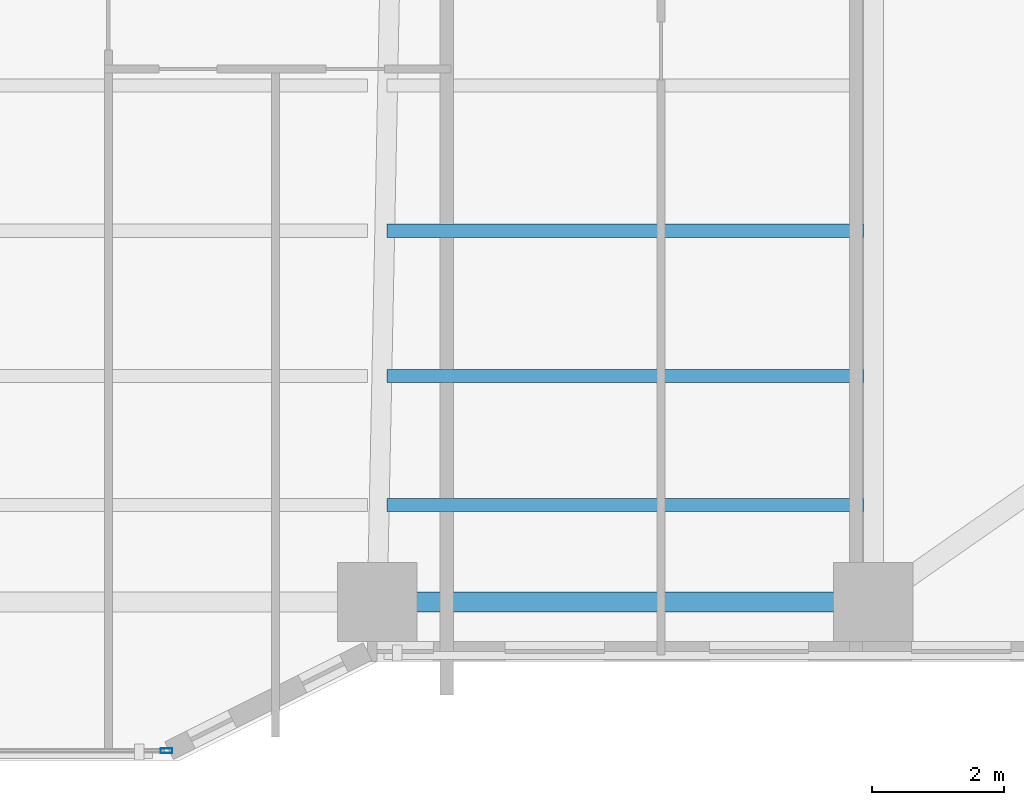
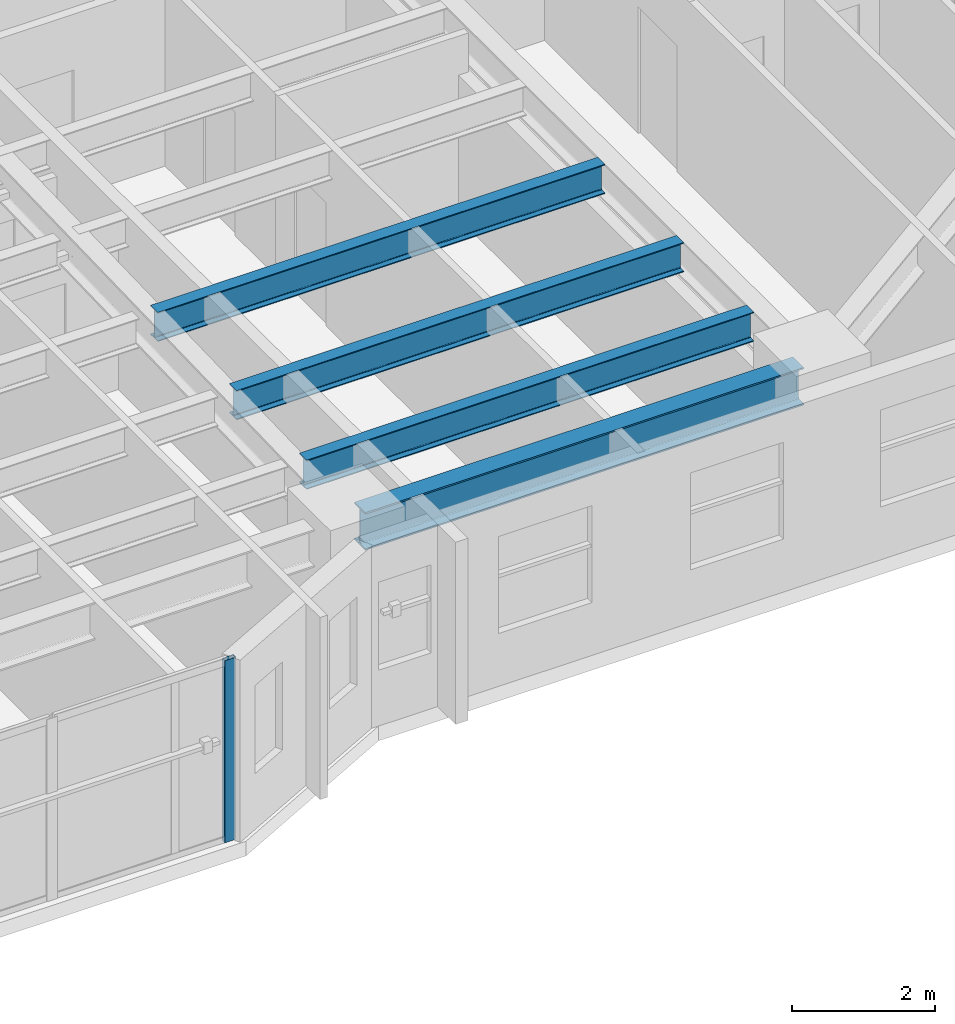
# One storey, part 4 of 21: 4 beams, 1 member, 1 element without a shape of its own.
"""IFC4 building model written with IfcOpenShell, lengths in metres."""

from ifc_helpers import new_model, si_unit, direction, frame, origin, origin_2d, place, context, subcontext, project, spatial, hollow_rectangle, i_section, extrude, material, layer, layer_set, material_profile, profile_set, type_object, element, aggregate, save


model = new_model("IFC4")

# Units and contexts
model_context = context("Model", 3, precision=1e-05, world=origin(), true_north=direction((0.0, 1.0)))
body_context = subcontext(model_context, "Body", "Model", "MODEL_VIEW")
ifc_project = project(units=[si_unit("LENGTHUNIT", "METRE"), si_unit("AREAUNIT", "SQUARE_METRE"), si_unit("VOLUMEUNIT", "CUBIC_METRE"), si_unit("PLANEANGLEUNIT", "RADIAN"), si_unit("MASSUNIT", "GRAM", prefix="KILO")], contexts=[model_context])

# Site, building, storey
site_placement = place(None, origin())
site = spatial("IfcSite", under=ifc_project, at=site_placement, CompositionType="ELEMENT")
building_placement = place(site_placement, origin())
building = spatial("IfcBuilding", under=site, at=building_placement, Name="Tarnavaz Court Tower", CompositionType="ELEMENT")
storey_placement = place(building_placement, frame((0.0, 0.0, 24.0)))
storey = spatial("IfcBuildingStorey", under=building, at=storey_placement, Name="L05", CompositionType="ELEMENT", Elevation=24.0)

# Beams
ifc_material_1 = material(Name="Steel S355", Category="steel")
ifc_material_profile_1 = material_profile(ifc_material_1, i_section(OverallWidth=0.199951171875, OverallDepth=0.5, WebThickness=0.01025390625, FlangeThickness=0.01611328125, FilletRadius=0.02099609375, at=origin_2d()), Name="IPE 500")
ifc_profile_set_1 = profile_set([ifc_material_profile_1], Name="Steel S355")
beam_type_1 = type_object("IfcBeamType", Name="BM-J-IPE500", PredefinedType="JOIST", material=ifc_profile_set_1)
for number, where, z_axis, x_axis, name in (
    (1, (7.64990234375, -17.18798828125, 2.85009765625), (1.0, 0.0, 0.0), (0.0, 1.0, 0.0), "L05 Beam JS3-3"),
    (2, (7.64990234375, -19.384033203125, 2.85009765625), (1.0, 0.0, 0.0), (0.0, 1.0, 0.0), "L05 Beam JS4-3"),
    (3, (7.64990234375, -21.3359375, 2.85009765625), (1.0, 0.0, 0.0), (0.0, 1.0, 0.0), "L05 Beam JS5-3"),
):
    element("IfcBeam", number, at=place(storey_placement, frame(where, z_axis=z_axis, x_axis=x_axis)), inside=storey, type_object=beam_type_1, Name=name, PredefinedType="JOIST", context=body_context, shape_type="SweptSolid", body=[
        extrude(i_section(OverallWidth=0.199951171875, OverallDepth=0.5, WebThickness=0.01025390625, FlangeThickness=0.01611328125, FilletRadius=0.02099609375, at=origin_2d()), origin(), (0.0, 0.0, 1.0), 7.2001953125),
    ])
ifc_material_profile_2 = material_profile(ifc_material_1, i_section(OverallWidth=0.300048828125, OverallDepth=0.639892578125, WebThickness=0.013427734375, FlangeThickness=0.02587890625, FilletRadius=0.027099609375, at=origin_2d()), Name="HEA 650")
ifc_profile_set_2 = profile_set([ifc_material_profile_2], Name="Steel S355")
beam_type_2 = type_object("IfcBeamType", Name="BM-SP-HEA650", PredefinedType="SPANDREL", material=ifc_profile_set_2)
beam_placement = place(storey_placement, frame((7.719970703125, -22.800048828125, 2.780029296875), z_axis=(1.0, 0.0, 0.0), x_axis=(0.0, 1.0, 0.0)))
element("IfcBeam", 4, at=beam_placement, inside=storey, type_object=beam_type_2, Name="L05 Beam PR-PS-3-PS-4", PredefinedType="SPANDREL", context=body_context, shape_type="SweptSolid", body=[
    extrude(i_section(OverallWidth=0.300048828125, OverallDepth=0.639892578125, WebThickness=0.013427734375, FlangeThickness=0.02587890625, FilletRadius=0.027099609375, at=origin_2d()), origin(), (0.0, 0.0, 1.0), 7.06005859375),
])

# Curtain wall, member
ifc_material_2 = material(Name="Anodised Aluminium 6063-T6 and Solar Low-E Glazing", Category="aluminium")
ifc_layer = layer(ifc_material_2, 0.179931640625)
ifc_layer_set = layer_set([ifc_layer], Name="Anodised Aluminium 6063-T6 and Solar Low-E Glazing")
curtain_wall_type = type_object("IfcCurtainWallType", Name="CW-SYS-02", PredefinedType="NOTDEFINED", material=ifc_layer_set)
curtain_wall_placement = place(storey_placement, origin())
curtain_wall = element("IfcCurtainWall", 5, at=curtain_wall_placement, inside=storey, type_object=curtain_wall_type, Name="L05 Iwan Prow Curtain Wall 17", PredefinedType="NOTDEFINED")
ifc_material_3 = material(Name="Anodised Aluminium 6063-T6", Category="aluminium")
ifc_material_profile_3 = material_profile(ifc_material_3, hollow_rectangle(XDim=0.074951171875, YDim=0.179931640625, WallThickness=0.0048828125, InnerFilletRadius=0.0048828125, OuterFilletRadius=0.010009765625, at=origin_2d()), Name="ALU RHS 180X75X5")
ifc_profile_set_3 = profile_set([ifc_material_profile_3], Name="Anodised Aluminium 6063-T6")
member_type = type_object("IfcMemberType", Name="CW-MUL-180", PredefinedType="MULLION", material=ifc_profile_set_3)
member_placement = place(storey_placement, frame((4.3125, -25.050048828125, 0.0), z_axis=(0.0, 0.0, 1.0), x_axis=(0.0, -1.0, 0.0)))
member = element("IfcMember", 6, at=member_placement, type_object=member_type, Name="CW mullion 1", PredefinedType="MULLION", context=body_context, shape_type="SweptSolid", body=[
    extrude(hollow_rectangle(XDim=0.074951171875, YDim=0.179931640625, WallThickness=0.0048828125, InnerFilletRadius=0.0048828125, OuterFilletRadius=0.010009765625, at=origin_2d()), origin(), (0.0, 0.0, 1.0), 3.10009765625),
])
aggregate(curtain_wall, [member])

save(model, "model.ifc")
